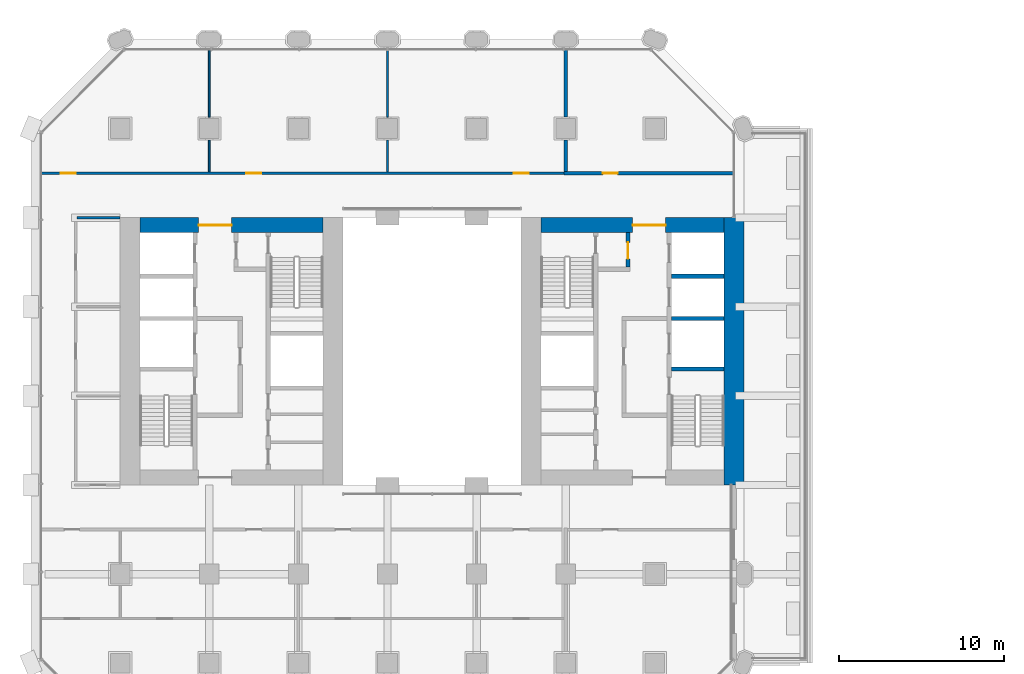
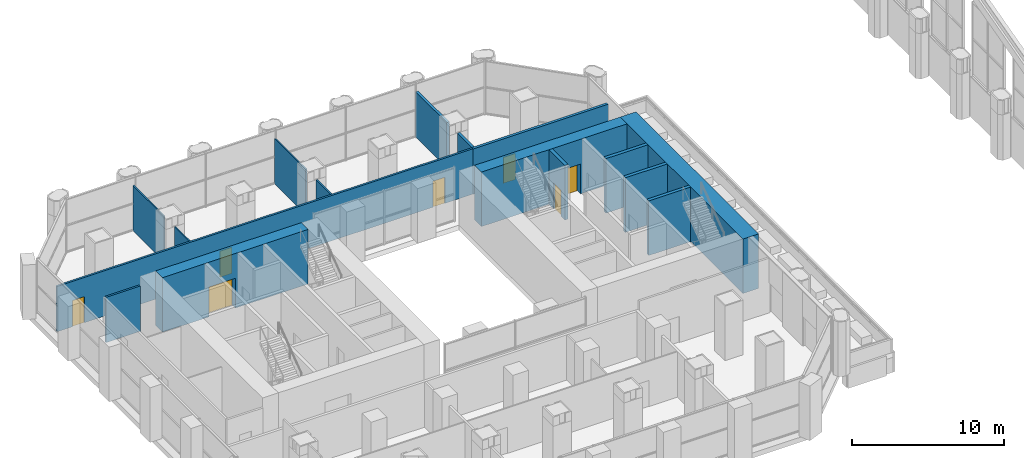
# One storey, part 29 of 42: 16 walls, 7 doors, 7 openings.
"""IFC4 building model written with IfcOpenShell, lengths in metres."""

from ifc_helpers import new_model, si_unit, direction, frame, frame_2d, origin, place, context, subcontext, project, spatial, rectangle, extrude, material, layer, layer_set, type_object, element, fill, save


model = new_model("IFC4")

# Units and contexts
model_context = context("Model", 3, precision=1e-05, world=origin(), true_north=direction((0.0, 1.0)))
body_context = subcontext(model_context, "Body", "Model", "MODEL_VIEW")
ifc_project = project(units=[si_unit("LENGTHUNIT", "METRE"), si_unit("AREAUNIT", "SQUARE_METRE"), si_unit("VOLUMEUNIT", "CUBIC_METRE"), si_unit("PLANEANGLEUNIT", "RADIAN"), si_unit("MASSUNIT", "GRAM", prefix="KILO")], contexts=[model_context])

# Site, building, storey
site_placement = place(None, origin())
site = spatial("IfcSite", under=ifc_project, at=site_placement, CompositionType="ELEMENT")
building_placement = place(site_placement, origin())
building = spatial("IfcBuilding", under=site, at=building_placement, Name="Tabaq Tower and Sports Hall", CompositionType="ELEMENT")
storey_placement = place(building_placement, frame((0.0, 0.0, 19.800048828125)))
storey = spatial("IfcBuildingStorey", under=building, at=storey_placement, Name="L03", CompositionType="ELEMENT", Elevation=19.800048828125)

# Wall
ifc_material_1 = material(Name="Concrete C60/75", Category="concrete")
ifc_layer_1 = layer(ifc_material_1, 1.199951171875)
ifc_layer_set_1 = layer_set([ifc_layer_1], Name="Core wall 1200 Concrete C60/75")
wall_type_1 = type_object("IfcWallType", Name="Core wall 1200 Concrete C60/75", PredefinedType="SOLIDWALL", material=ifc_layer_set_1)
wall_1_placement = place(storey_placement, frame((42.60009765625, 32.39990234375, 0.0), z_axis=(0.0, 0.0, 1.0), x_axis=(0.0, -1.0, 0.0)))
element("IfcWall", 1, at=wall_1_placement, inside=storey, type_object=wall_type_1, Name="Core wall E L03", PredefinedType="SOLIDWALL", context=body_context, shape_type="SweptSolid", body=[
    extrude(rectangle(XDim=16.199951171875, YDim=1.199951171875, at=frame_2d((8.10009765625, 0.0))), origin(), (0.0, 0.0, 1.0), 4.39990234375),
])

# Wall, opening, door
ifc_material_2 = material(Name="Concrete C60/75", Category="concrete")
ifc_layer_2 = layer(ifc_material_2, 0.89990234375)
ifc_layer_set_2 = layer_set([ifc_layer_2], Name="Core wall 900 Concrete C60/75")
wall_type_2 = type_object("IfcWallType", Name="Core wall 900 Concrete C60/75", PredefinedType="SOLIDWALL", material=ifc_layer_set_2)
wall_2_placement = place(storey_placement, frame((6.60009765625, 31.949951171875, 0.0), z_axis=(0.0, 0.0, 1.0), x_axis=(1.0, 0.0, 0.0)))
wall_2 = element("IfcWall", 2, at=wall_2_placement, inside=storey, type_object=wall_type_2, Name="Core wall W L03", PredefinedType="SOLIDWALL", context=body_context, shape_type="SweptSolid", body=[
    extrude(rectangle(XDim=11.099853515625, YDim=0.89990234375, at=frame_2d((5.5498046875, 0.0))), origin(), (0.0, 0.0, 1.0), 4.39990234375),
])
opening_1_placement = place(wall_2_placement, frame((3.550048828125, 0.0, 0.0)))
opening_1 = element("IfcOpeningElement", 3, at=opening_1_placement, cuts=wall_2, Name="Opening PD-WL03-02", PredefinedType="OPENING", context=body_context, shape_type="SweptSolid", body=[
    extrude(rectangle(XDim=2.0, YDim=2.39990234375, at=frame_2d((1.0, 1.199951171875))), frame((0.0, 0.449951171875, 0.0), z_axis=(0.0, -1.0, 0.0), x_axis=(1.0, 0.0, 0.0)), (0.0, 0.0, 1.0), 0.89990234375),
])
ifc_material_3 = material(Name="Steel fire door", Category="steel")
door_type_1 = type_object("IfcDoorType", Name="Core entrance door 2000", OperationType="DOUBLE_DOOR_SINGLE_SWING", PredefinedType="DOOR", material=ifc_material_3)
door_1_placement = place(opening_1_placement, origin())
door_1 = element("IfcDoor", 4, at=door_1_placement, inside=storey, type_object=door_type_1, Name="Core entrance north W L03", OperationType="DOUBLE_DOOR_SINGLE_SWING", OverallHeight=2.39990234375, OverallWidth=2.0, PredefinedType="DOOR", context=body_context, shape_type="SweptSolid", body=[
    extrude(rectangle(XDim=2.0, YDim=2.39990234375, at=frame_2d((1.0, 1.199951171875))), frame((0.0, 0.02490234375, 0.0), z_axis=(0.0, -1.0, 0.0), x_axis=(1.0, 0.0, 0.0)), (0.0, 0.0, 1.0), 0.050048828125),
])
fill(opening_1, door_1)

wall_3_placement = place(storey_placement, frame((30.89990234375, 31.949951171875, 0.0), z_axis=(0.0, 0.0, 1.0), x_axis=(1.0, 0.0, 0.0)))
wall_3 = element("IfcWall", 5, at=wall_3_placement, inside=storey, type_object=wall_type_2, Name="Core wall E L03", PredefinedType="SOLIDWALL", context=body_context, shape_type="SweptSolid", body=[
    extrude(rectangle(XDim=11.10009765625, YDim=0.89990234375, at=frame_2d((5.550048828125, 0.0))), origin(), (0.0, 0.0, 1.0), 4.39990234375),
])
opening_2_placement = place(wall_3_placement, frame((5.550048828125, 0.0, 0.0)))
opening_2 = element("IfcOpeningElement", 6, at=opening_2_placement, cuts=wall_3, Name="Opening PD-EL03-02", PredefinedType="OPENING", context=body_context, shape_type="SweptSolid", body=[
    extrude(rectangle(XDim=2.0, YDim=2.39990234375, at=frame_2d((1.0, 1.199951171875))), frame((0.0, 0.449951171875, 0.0), z_axis=(0.0, -1.0, 0.0), x_axis=(1.0, 0.0, 0.0)), (0.0, 0.0, 1.0), 0.89990234375),
])
door_2_placement = place(opening_2_placement, origin())
door_2 = element("IfcDoor", 7, at=door_2_placement, inside=storey, type_object=door_type_1, Name="Core entrance north E L03", OperationType="DOUBLE_DOOR_SINGLE_SWING", OverallHeight=2.39990234375, OverallWidth=2.0, PredefinedType="DOOR", context=body_context, shape_type="SweptSolid", body=[
    extrude(rectangle(XDim=2.0, YDim=2.39990234375, at=frame_2d((1.0, 1.199951171875))), frame((0.0, 0.02490234375, 0.0), z_axis=(0.0, -1.0, 0.0), x_axis=(1.0, 0.0, 0.0)), (0.0, 0.0, 1.0), 0.050048828125),
])
fill(opening_2, door_2)

ifc_material_4 = material(Name="Blockwork", Category="masonry")
ifc_layer_3 = layer(ifc_material_4, 0.199951171875)
ifc_layer_set_3 = layer_set([ifc_layer_3], Name="Fire compartment wall 200 Blockwork")
wall_type_3 = type_object("IfcWallType", Name="Fire compartment wall 200 Blockwork", PredefinedType="PARTITIONING", material=ifc_layer_set_3)
wall_4_placement = place(storey_placement, frame((42.60009765625, 35.10009765625, 0.0), z_axis=(0.0, 0.0, 1.0), x_axis=(-1.0, 0.0, 0.0)))
wall_4 = element("IfcWall", 8, at=wall_4_placement, inside=storey, type_object=wall_type_3, Name="Compartment wall L03", PredefinedType="PARTITIONING", context=body_context, shape_type="SweptSolid", body=[
    extrude(rectangle(XDim=10.300048828125, YDim=0.199951171875, at=frame_2d((5.14990234375, 0.0))), origin(), (0.0, 0.0, 1.0), 3.64990234375),
])
opening_3_placement = place(wall_4_placement, frame((7.050048828125, 0.0, 0.0)))
opening_3 = element("IfcOpeningElement", 9, at=opening_3_placement, cuts=wall_4, Name="Opening L03-005", PredefinedType="OPENING", context=body_context, shape_type="SweptSolid", body=[
    extrude(rectangle(XDim=0.89990234375, YDim=2.10009765625, at=frame_2d((0.449951171875, 1.050048828125))), frame((0.0, 0.10009765625, 0.0), z_axis=(0.0, -1.0, 0.0), x_axis=(1.0, 0.0, 0.0)), (0.0, 0.0, 1.0), 0.199951171875),
])
ifc_material_5 = material(Name="Timber leaf in steel frame", Category="steel")
door_type_2 = type_object("IfcDoorType", Name="Internal door 900 left hand", OperationType="SINGLE_SWING_LEFT", PredefinedType="DOOR", material=ifc_material_5)
door_3_placement = place(opening_3_placement, origin())
door_3 = element("IfcDoor", 10, at=door_3_placement, inside=storey, type_object=door_type_2, Name="Internal door L03-005", OperationType="SINGLE_SWING_LEFT", OverallHeight=2.10009765625, OverallWidth=0.89990234375, PredefinedType="DOOR", context=body_context, shape_type="SweptSolid", body=[
    extrude(rectangle(XDim=0.89990234375, YDim=2.10009765625, at=frame_2d((0.449951171875, 1.050048828125))), frame((0.0, 0.02490234375, 0.0), z_axis=(0.0, -1.0, 0.0), x_axis=(1.0, 0.0, 0.0)), (0.0, 0.0, 1.0), 0.050048828125),
])
fill(opening_3, door_3)

# Walls
wall_5_placement = place(storey_placement, frame((32.39990234375, 35.199951171875, 0.0), z_axis=(0.0, 0.0, 1.0), x_axis=(0.0, 1.0, 0.0)))
element("IfcWall", 11, at=wall_5_placement, inside=storey, type_object=wall_type_3, Name="Compartment wall L03", PredefinedType="PARTITIONING", context=body_context, shape_type="SweptSolid", body=[
    extrude(rectangle(XDim=1.8994140625, YDim=0.199951171875, at=frame_2d((0.94970703125, 0.0))), origin(), (0.0, 0.0, 1.0), 3.64990234375),
])
wall_6_placement = place(storey_placement, frame((32.39990234375, 38.500732421875, 0.0), z_axis=(0.0, 0.0, 1.0), x_axis=(0.0, 1.0, 0.0)))
element("IfcWall", 12, at=wall_6_placement, inside=storey, type_object=wall_type_3, Name="Compartment wall L03", PredefinedType="PARTITIONING", context=body_context, shape_type="SweptSolid", body=[
    extrude(rectangle(XDim=4.099365234375, YDim=0.199951171875, at=frame_2d((2.0498046875, 0.0))), origin(), (0.0, 0.0, 1.0), 3.64990234375),
])
ifc_material_6 = material(Name="Gypsum board on steel studs", Category="steel")
ifc_layer_4 = layer(ifc_material_6, 0.10009765625)
ifc_layer_set_4 = layer_set([ifc_layer_4], Name="Partition 100 Gypsum board")
wall_type_4 = type_object("IfcWallType", Name="Partition 100 Gypsum board", PredefinedType="PARTITIONING", material=ifc_layer_set_4)
wall_7_placement = place(storey_placement, frame((10.800048828125, 35.175048828125, 0.0), z_axis=(0.0, 0.0, 1.0), x_axis=(0.0, 1.0, 0.0)))
element("IfcWall", 13, at=wall_7_placement, inside=storey, type_object=wall_type_4, Name="Partition wall L03", PredefinedType="PARTITIONING", context=body_context, shape_type="SweptSolid", body=[
    extrude(rectangle(XDim=1.92431640625, YDim=0.10009765625, at=frame_2d((0.962158203125, 0.0))), origin(), (0.0, 0.0, 1.0), 3.64990234375),
])
wall_8_placement = place(storey_placement, frame((10.800048828125, 38.500732421875, 0.0), z_axis=(0.0, 0.0, 1.0), x_axis=(0.0, 1.0, 0.0)))
element("IfcWall", 14, at=wall_8_placement, inside=storey, type_object=wall_type_4, Name="Partition wall L03", PredefinedType="PARTITIONING", context=body_context, shape_type="SweptSolid", body=[
    extrude(rectangle(XDim=4.099365234375, YDim=0.10009765625, at=frame_2d((2.0498046875, 0.0))), origin(), (0.0, 0.0, 1.0), 3.64990234375),
])
wall_9_placement = place(storey_placement, frame((21.60009765625, 35.175048828125, 0.0), z_axis=(0.0, 0.0, 1.0), x_axis=(0.0, 1.0, 0.0)))
element("IfcWall", 15, at=wall_9_placement, inside=storey, type_object=wall_type_4, Name="Partition wall L03", PredefinedType="PARTITIONING", context=body_context, shape_type="SweptSolid", body=[
    extrude(rectangle(XDim=1.92431640625, YDim=0.10009765625, at=frame_2d((0.962158203125, 0.0))), origin(), (0.0, 0.0, 1.0), 3.64990234375),
])
wall_10_placement = place(storey_placement, frame((21.60009765625, 38.500732421875, 0.0), z_axis=(0.0, 0.0, 1.0), x_axis=(0.0, 1.0, 0.0)))
element("IfcWall", 16, at=wall_10_placement, inside=storey, type_object=wall_type_4, Name="Partition wall L03", PredefinedType="PARTITIONING", context=body_context, shape_type="SweptSolid", body=[
    extrude(rectangle(XDim=4.099365234375, YDim=0.10009765625, at=frame_2d((2.0498046875, 0.0))), origin(), (0.0, 0.0, 1.0), 3.64990234375),
])
ifc_material_7 = material(Name="Blockwork", Category="masonry")
ifc_layer_5 = layer(ifc_material_7, 0.14990234375)
ifc_layer_set_5 = layer_set([ifc_layer_5], Name="Separating wall 150 Blockwork")
wall_type_5 = type_object("IfcWallType", Name="Separating wall 150 Blockwork", PredefinedType="PARTITIONING", material=ifc_layer_set_5)
wall_11_placement = place(storey_placement, frame((2.77490234375, 32.39990234375, 0.0), z_axis=(0.0, 0.0, 1.0), x_axis=(1.0, 0.0, 0.0)))
element("IfcWall", 17, at=wall_11_placement, inside=storey, type_object=wall_type_5, Name="Separating wall L03", PredefinedType="PARTITIONING", context=body_context, shape_type="SweptSolid", body=[
    extrude(rectangle(XDim=2.625, YDim=0.14990234375, at=frame_2d((1.3125, 0.0))), origin(), (0.0, 0.0, 1.0), 3.64990234375),
])

# Wall, openings, doors
wall_12_placement = place(storey_placement, frame((32.300048828125, 35.10009765625, 0.0), z_axis=(0.0, 0.0, 1.0), x_axis=(-1.0, 0.0, 0.0)))
wall_12 = element("IfcWall", 18, at=wall_12_placement, inside=storey, type_object=wall_type_5, Name="Separating wall L03", PredefinedType="PARTITIONING", context=body_context, shape_type="SweptSolid", body=[
    extrude(rectangle(XDim=31.699951171875, YDim=0.14990234375, at=frame_2d((15.85009765625, 0.0))), origin(), (0.0, 0.0, 1.0), 3.64990234375),
])
opening_4_placement = place(wall_12_placement, frame((29.60009765625, 0.0, 0.0)))
opening_4 = element("IfcOpeningElement", 19, at=opening_4_placement, cuts=wall_12, Name="Opening L03-002", PredefinedType="OPENING", context=body_context, shape_type="SweptSolid", body=[
    extrude(rectangle(XDim=0.89990234375, YDim=2.10009765625, at=frame_2d((0.449951171875, 1.050048828125))), frame((0.0, 0.074951171875, 0.0), z_axis=(0.0, -1.0, 0.0), x_axis=(1.0, 0.0, 0.0)), (0.0, 0.0, 1.0), 0.14990234375),
])
opening_5_placement = place(wall_12_placement, frame((18.35009765625, 0.0, 0.0)))
opening_5 = element("IfcOpeningElement", 20, at=opening_5_placement, cuts=wall_12, Name="Opening L03-003", PredefinedType="OPENING", context=body_context, shape_type="SweptSolid", body=[
    extrude(rectangle(XDim=0.89990234375, YDim=2.10009765625, at=frame_2d((0.449951171875, 1.050048828125))), frame((0.0, 0.074951171875, 0.0), z_axis=(0.0, -1.0, 0.0), x_axis=(1.0, 0.0, 0.0)), (0.0, 0.0, 1.0), 0.14990234375),
])
opening_6_placement = place(wall_12_placement, frame((2.14990234375, 0.0, 0.0)))
opening_6 = element("IfcOpeningElement", 21, at=opening_6_placement, cuts=wall_12, Name="Opening L03-004", PredefinedType="OPENING", context=body_context, shape_type="SweptSolid", body=[
    extrude(rectangle(XDim=0.89990234375, YDim=2.10009765625, at=frame_2d((0.449951171875, 1.050048828125))), frame((0.0, 0.074951171875, 0.0), z_axis=(0.0, -1.0, 0.0), x_axis=(1.0, 0.0, 0.0)), (0.0, 0.0, 1.0), 0.14990234375),
])
ifc_material_8 = material(Name="Timber leaf in steel frame", Category="steel")
door_type_3 = type_object("IfcDoorType", Name="Internal door 900 right hand", OperationType="SINGLE_SWING_RIGHT", PredefinedType="DOOR", material=ifc_material_8)
door_4_placement = place(opening_4_placement, origin())
door_4 = element("IfcDoor", 22, at=door_4_placement, inside=storey, type_object=door_type_3, Name="Internal door L03-002", OperationType="SINGLE_SWING_RIGHT", OverallHeight=2.10009765625, OverallWidth=0.89990234375, PredefinedType="DOOR", context=body_context, shape_type="SweptSolid", body=[
    extrude(rectangle(XDim=0.89990234375, YDim=2.10009765625, at=frame_2d((0.449951171875, 1.050048828125))), frame((0.0, 0.02490234375, 0.0), z_axis=(0.0, -1.0, 0.0), x_axis=(1.0, 0.0, 0.0)), (0.0, 0.0, 1.0), 0.050048828125),
])
fill(opening_4, door_4)
door_5_placement = place(opening_5_placement, origin())
door_5 = element("IfcDoor", 23, at=door_5_placement, inside=storey, type_object=door_type_3, Name="Internal door L03-003", OperationType="SINGLE_SWING_RIGHT", OverallHeight=2.10009765625, OverallWidth=0.89990234375, PredefinedType="DOOR", context=body_context, shape_type="SweptSolid", body=[
    extrude(rectangle(XDim=0.89990234375, YDim=2.10009765625, at=frame_2d((0.449951171875, 1.050048828125))), frame((0.0, 0.02490234375, 0.0), z_axis=(0.0, -1.0, 0.0), x_axis=(1.0, 0.0, 0.0)), (0.0, 0.0, 1.0), 0.050048828125),
])
fill(opening_5, door_5)
door_6_placement = place(opening_6_placement, origin())
door_6 = element("IfcDoor", 24, at=door_6_placement, inside=storey, type_object=door_type_3, Name="Internal door L03-004", OperationType="SINGLE_SWING_RIGHT", OverallHeight=2.10009765625, OverallWidth=0.89990234375, PredefinedType="DOOR", context=body_context, shape_type="SweptSolid", body=[
    extrude(rectangle(XDim=0.89990234375, YDim=2.10009765625, at=frame_2d((0.449951171875, 1.050048828125))), frame((0.0, 0.02490234375, 0.0), z_axis=(0.0, -1.0, 0.0), x_axis=(1.0, 0.0, 0.0)), (0.0, 0.0, 1.0), 0.050048828125),
])
fill(opening_6, door_6)

# Walls
ifc_material_9 = material(Name="Concrete C40/50", Category="concrete")
ifc_layer_6 = layer(ifc_material_9, 0.25)
ifc_layer_set_6 = layer_set([ifc_layer_6], Name="Shaft and stair wall 250 Concrete C40/50")
wall_type_6 = type_object("IfcWallType", Name="Shaft and stair wall 250 Concrete C40/50", PredefinedType="SOLIDWALL", material=ifc_layer_set_6)
for number, where, z_axis, x_axis, name in (
    (25, (38.800048828125, 23.22509765625, 0.0), (0.0, 0.0, 1.0), (1.0, 0.0, 0.0), "Stair enclosure wall E L03"),
    (26, (38.800048828125, 26.300048828125, 0.0), (0.0, 0.0, 1.0), (1.0, 0.0, 0.0), "Shaft wall E L03"),
):
    element("IfcWall", number, at=place(storey_placement, frame(where, z_axis=z_axis, x_axis=x_axis)), inside=storey, type_object=wall_type_6, Name=name, PredefinedType="SOLIDWALL", context=body_context, shape_type="SweptSolid", body=[
        extrude(rectangle(XDim=3.199951171875, YDim=0.25, at=frame_2d((1.60009765625, 0.0))), origin(), (0.0, 0.0, 1.0), 4.39990234375),
    ])

# Wall, opening, door
wall_13_placement = place(storey_placement, frame((36.175048828125, 29.39990234375, 0.0), z_axis=(0.0, 0.0, 1.0), x_axis=(0.0, 1.0, 0.0)))
wall_13 = element("IfcWall", 27, at=wall_13_placement, inside=storey, type_object=wall_type_6, Name="Fire-fighting lobby wall E L03", PredefinedType="SOLIDWALL", context=body_context, shape_type="SweptSolid", body=[
    extrude(rectangle(XDim=2.10009765625, YDim=0.25, at=frame_2d((1.050048828125, 0.0))), origin(), (0.0, 0.0, 1.0), 4.39990234375),
])
opening_7_placement = place(wall_13_placement, frame((0.5, 0.0, 0.0)))
opening_7 = element("IfcOpeningElement", 28, at=opening_7_placement, cuts=wall_13, Name="Opening FD-EL03-06", PredefinedType="OPENING", context=body_context, shape_type="SweptSolid", body=[
    extrude(rectangle(XDim=1.0, YDim=2.10009765625, at=frame_2d((0.5, 1.050048828125))), frame((0.0, 0.125, 0.0), z_axis=(0.0, -1.0, 0.0), x_axis=(1.0, 0.0, 0.0)), (0.0, 0.0, 1.0), 0.25),
])
ifc_material_10 = material(Name="Steel fire door", Category="steel")
door_type_4 = type_object("IfcDoorType", Name="Fire-fighting lobby door 1000", OperationType="SINGLE_SWING_LEFT", PredefinedType="DOOR", material=ifc_material_10)
door_7_placement = place(opening_7_placement, origin())
door_7 = element("IfcDoor", 29, at=door_7_placement, inside=storey, type_object=door_type_4, Name="Stair lobby door E L03", OperationType="SINGLE_SWING_LEFT", OverallHeight=2.10009765625, OverallWidth=1.0, PredefinedType="DOOR", context=body_context, shape_type="SweptSolid", body=[
    extrude(rectangle(XDim=1.0, YDim=2.10009765625, at=frame_2d((0.5, 1.050048828125))), frame((0.0, 0.02490234375, 0.0), z_axis=(0.0, -1.0, 0.0), x_axis=(1.0, 0.0, 0.0)), (0.0, 0.0, 1.0), 0.050048828125),
])
fill(opening_7, door_7)

# Wall
wall_14_placement = place(storey_placement, frame((38.800048828125, 28.85009765625, 0.0), z_axis=(0.0, 0.0, 1.0), x_axis=(1.0, 0.0, 0.0)))
element("IfcWall", 30, at=wall_14_placement, inside=storey, type_object=wall_type_6, Name="Shaft wall E L03", PredefinedType="SOLIDWALL", context=body_context, shape_type="SweptSolid", body=[
    extrude(rectangle(XDim=3.199951171875, YDim=0.25, at=frame_2d((1.60009765625, 0.0))), origin(), (0.0, 0.0, 1.0), 4.39990234375),
])

save(model, "model.ifc")
